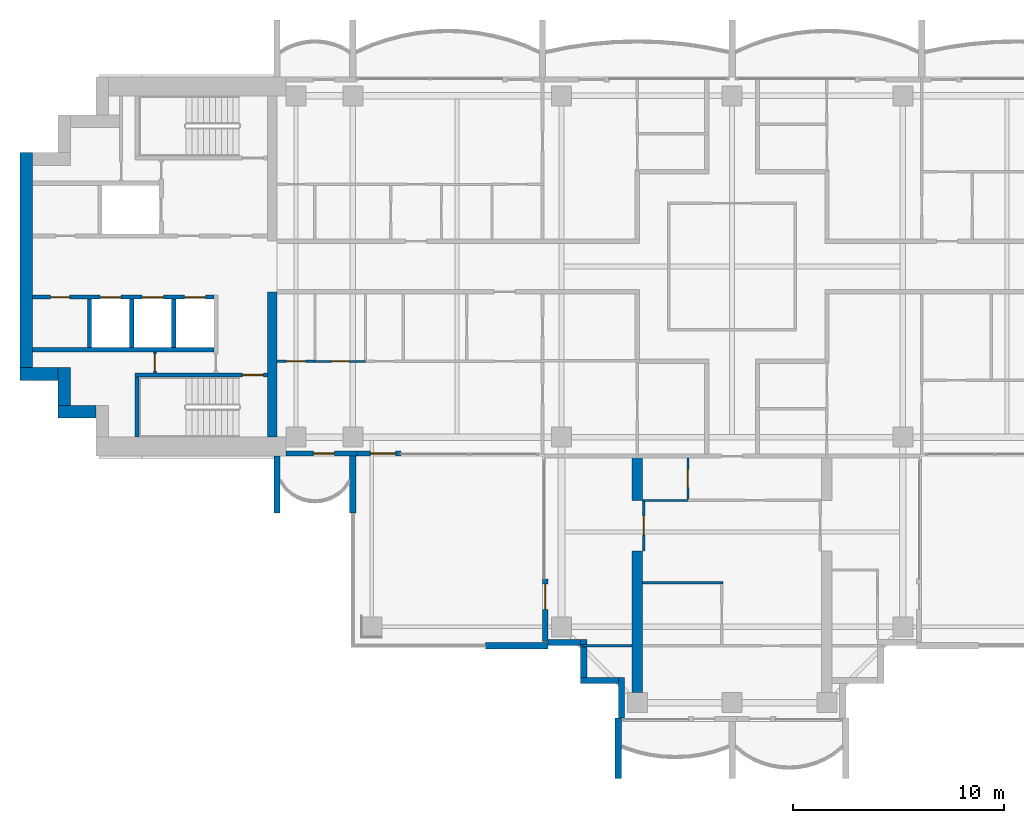
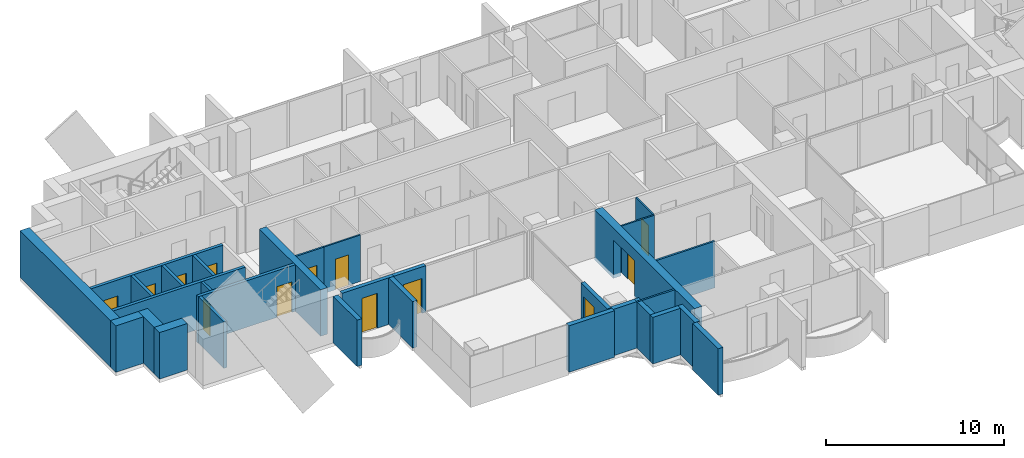
# One storey, part 8 of 18: 32 walls, 13 doors, 13 openings.
"""IFC4 building model written with IfcOpenShell, lengths in metres."""

from ifc_helpers import new_model, si_unit, direction, frame, frame_2d, origin, place, context, subcontext, project, spatial, polyline, rectangle, outline, extrude, material, layer, layer_set, material_profile, profile_set, type_object, element, fill, save


model = new_model("IFC4")

# Units and contexts
model_context = context("Model", 3, precision=1e-05, world=origin(), true_north=direction((0.0, 1.0)))
body_context = subcontext(model_context, "Body", "Model", "MODEL_VIEW")
ifc_project = project(units=[si_unit("LENGTHUNIT", "METRE"), si_unit("AREAUNIT", "SQUARE_METRE"), si_unit("VOLUMEUNIT", "CUBIC_METRE"), si_unit("PLANEANGLEUNIT", "RADIAN"), si_unit("MASSUNIT", "GRAM", prefix="KILO")], contexts=[model_context])

# Site, building, storey
site_placement = place(None, origin())
site = spatial("IfcSite", under=ifc_project, at=site_placement, CompositionType="ELEMENT")
building_placement = place(site_placement, origin())
building = spatial("IfcBuilding", under=site, at=building_placement, Name="Perihelion Cross Residences", CompositionType="ELEMENT")
storey_placement = place(building_placement, frame((0.0, 0.0, 219.10009765625)))
storey = spatial("IfcBuildingStorey", under=building, at=storey_placement, Name="L55", CompositionType="ELEMENT", Elevation=219.10009765625)

# Wall, opening, door
ifc_material_1 = material(Name="Concrete C30/37, bronze-clad", Category="concrete")
ifc_layer_1 = layer(ifc_material_1, 0.25)
ifc_layer_set_1 = layer_set([ifc_layer_1], Name="Bronze-clad pier wall 250")
wall_type_1 = type_object("IfcWallType", Name="Bronze-clad pier wall 250", PredefinedType="SOLIDWALL", material=ifc_layer_set_1)
wall_1_placement = place(storey_placement, frame((-21.175048828125, -8.875, 0.0), z_axis=(0.0, 0.0, 1.0), x_axis=(1.0, 0.0, 0.0)))
wall_1 = element("IfcWall", 1, at=wall_1_placement, inside=storey, type_object=wall_type_1, Name="Wall FW1 L55 west side south bay 1 pier", PredefinedType="SOLIDWALL", context=body_context, shape_type="SweptSolid", body=[
    extrude(rectangle(XDim=3.375, YDim=0.25, at=frame_2d((1.6875, 0.0))), origin(), (0.0, 0.0, 1.0), 3.199951171875),
])
opening_1_placement = place(wall_1_placement, frame((1.300048828125, 0.0, 0.0)))
opening_1 = element("IfcOpeningElement", 2, at=opening_1_placement, cuts=wall_1, Name="Opening L55.E07", PredefinedType="OPENING", context=body_context, shape_type="SweptSolid", body=[
    extrude(rectangle(XDim=1.0, YDim=2.39990234375, at=frame_2d((0.5, 1.199951171875))), frame((0.0, 0.135009765625, 0.0), z_axis=(0.0, -1.0, 0.0), x_axis=(1.0, 0.0, 0.0)), (0.0, 0.0, 1.0), 0.27001953125),
])
ifc_material_2 = material(Name="Bronze anodised aluminium, glazed", Category="aluminium")
door_type_1 = type_object("IfcDoorType", Name="Balcony door 1000 x 2400", OperationType="NOTDEFINED", PredefinedType="DOOR", material=ifc_material_2)
door_1_placement = place(opening_1_placement, origin())
door_1 = element("IfcDoor", 3, at=door_1_placement, inside=storey, type_object=door_type_1, Name="Door L55.E07 west side south bay 1", OperationType="SINGLE_SWING_LEFT", OverallHeight=2.39990234375, OverallWidth=1.0, PredefinedType="DOOR", context=body_context, shape_type="SweptSolid", body=[
    extrude(rectangle(XDim=1.0, YDim=2.39990234375, at=frame_2d((0.5, 1.199951171875))), frame((0.0, 0.02490234375, 0.0), z_axis=(0.0, -1.0, 0.0), x_axis=(1.0, 0.0, 0.0)), (0.0, 0.0, 1.0), 0.050048828125),
])
fill(opening_1, door_1)

wall_2_placement = place(storey_placement, frame((-17.800048828125, -8.875, 0.0), z_axis=(0.0, 0.0, 1.0), x_axis=(1.0, 0.0, 0.0)))
wall_2 = element("IfcWall", 4, at=wall_2_placement, inside=storey, type_object=wall_type_1, Name="Wall FW1 L55 west side south bay 2 pier", PredefinedType="SOLIDWALL", context=body_context, shape_type="SweptSolid", body=[
    extrude(rectangle(XDim=2.074951171875, YDim=0.25, at=frame_2d((1.03759765625, 0.0))), origin(), (0.0, 0.0, 1.0), 3.199951171875),
])
opening_2_placement = place(wall_2_placement, frame((0.625, 0.0, 0.0)))
opening_2 = element("IfcOpeningElement", 5, at=opening_2_placement, cuts=wall_2, Name="Opening L55.E08", PredefinedType="OPENING", context=body_context, shape_type="SweptSolid", body=[
    extrude(rectangle(XDim=1.199951171875, YDim=2.39990234375, at=frame_2d((0.60009765625, 1.199951171875))), frame((0.0, 0.135009765625, 0.0), z_axis=(0.0, -1.0, 0.0), x_axis=(1.0, 0.0, 0.0)), (0.0, 0.0, 1.0), 0.27001953125),
])
ifc_material_3 = material(Name="Bronze anodised aluminium, glazed", Category="aluminium")
door_type_2 = type_object("IfcDoorType", Name="Balcony door 1200 x 2400", OperationType="NOTDEFINED", PredefinedType="DOOR", material=ifc_material_3)
door_2_placement = place(opening_2_placement, origin())
door_2 = element("IfcDoor", 6, at=door_2_placement, inside=storey, type_object=door_type_2, Name="Door L55.E08 west side south bay 2", OperationType="SINGLE_SWING_RIGHT", OverallHeight=2.39990234375, OverallWidth=1.199951171875, PredefinedType="DOOR", context=body_context, shape_type="SweptSolid", body=[
    extrude(rectangle(XDim=1.199951171875, YDim=2.39990234375, at=frame_2d((0.60009765625, 1.199951171875))), frame((0.0, 0.02490234375, 0.0), z_axis=(0.0, -1.0, 0.0), x_axis=(1.0, 0.0, 0.0)), (0.0, 0.0, 1.0), 0.050048828125),
])
fill(opening_2, door_2)

wall_3_placement = place(storey_placement, frame((-8.875, -14.824951171875, 0.0), z_axis=(0.0, 0.0, 1.0), x_axis=(0.0, -1.0, 0.0)))
wall_3 = element("IfcWall", 7, at=wall_3_placement, inside=storey, type_object=wall_type_1, Name="Wall FW1 L55 south side west bay 1 pier", PredefinedType="SOLIDWALL", context=body_context, shape_type="SweptSolid", body=[
    extrude(rectangle(XDim=2.97509765625, YDim=0.25, at=frame_2d((1.487548828125, 0.0))), origin(), (0.0, 0.0, 1.0), 3.199951171875),
])
opening_3_placement = place(wall_3_placement, frame((0.25, 0.0, 0.0)))
opening_3 = element("IfcOpeningElement", 8, at=opening_3_placement, cuts=wall_3, Name="Opening L55.E09", PredefinedType="OPENING", context=body_context, shape_type="SweptSolid", body=[
    extrude(rectangle(XDim=1.199951171875, YDim=2.39990234375, at=frame_2d((0.60009765625, 1.199951171875))), frame((0.0, 0.135009765625, 0.0), z_axis=(0.0, -1.0, 0.0), x_axis=(1.0, 0.0, 0.0)), (0.0, 0.0, 1.0), 0.27001953125),
])
door_3_placement = place(opening_3_placement, origin())
door_3 = element("IfcDoor", 9, at=door_3_placement, inside=storey, type_object=door_type_2, Name="Door L55.E09 south side west bay 1", OperationType="SINGLE_SWING_LEFT", OverallHeight=2.39990234375, OverallWidth=1.199951171875, PredefinedType="DOOR", context=body_context, shape_type="SweptSolid", body=[
    extrude(rectangle(XDim=1.199951171875, YDim=2.39990234375, at=frame_2d((0.60009765625, 1.199951171875))), frame((0.0, 0.02490234375, 0.0), z_axis=(0.0, -1.0, 0.0), x_axis=(1.0, 0.0, 0.0)), (0.0, 0.0, 1.0), 0.050048828125),
])
fill(opening_3, door_3)

# Walls
ifc_material_4 = material(Name="Concrete C30/37, bronze-clad", Category="concrete")
ifc_layer_2 = layer(ifc_material_4, 0.300048828125)
ifc_layer_set_2 = layer_set([ifc_layer_2], Name="Bronze-clad serration wall 300")
wall_type_2 = type_object("IfcWallType", Name="Bronze-clad serration wall 300", PredefinedType="SOLIDWALL", material=ifc_layer_set_2)
wall_4_placement = place(storey_placement, frame((-8.75, -17.85009765625, 0.0), z_axis=(0.0, 0.0, 1.0), x_axis=(1.0, 0.0, 0.0)))
element("IfcWall", 10, at=wall_4_placement, inside=storey, type_object=wall_type_2, Name="Wall SR1 L55 south corner south-west 1", PredefinedType="SOLIDWALL", context=body_context, shape_type="SweptSolid", body=[
    extrude(rectangle(XDim=1.550048828125, YDim=0.300048828125, at=frame_2d((0.77490234375, 0.0))), origin(), (0.0, 0.0, 1.0), 3.199951171875),
])
for number, where, z_axis, x_axis, name in (
    (11, (-7.050048828125, -17.699951171875, 0.0), (0.0, 0.0, 1.0), (0.0, -1.0, 0.0), "Wall SR1 L55 south corner south-west 2"),
    (12, (-7.199951171875, -19.64990234375, 0.0), (0.0, 0.0, 1.0), (1.0, 0.0, 0.0), "Wall SR1 L55 south corner south-west 3"),
):
    element("IfcWall", number, at=place(storey_placement, frame(where, z_axis=z_axis, x_axis=x_axis)), inside=storey, type_object=wall_type_2, Name=name, PredefinedType="SOLIDWALL", context=body_context, shape_type="SweptSolid", body=[
        extrude(rectangle(XDim=1.800048828125, YDim=0.300048828125, at=frame_2d((0.89990234375, 0.0))), origin(), (0.0, 0.0, 1.0), 3.199951171875),
    ])
wall_5_placement = place(storey_placement, frame((-5.25, -19.5, 0.0), z_axis=(0.0, 0.0, 1.0), x_axis=(0.0, -1.0, 0.0)))
element("IfcWall", 13, at=wall_5_placement, inside=storey, type_object=wall_type_2, Name="Wall SR1 L55 south corner south-west 4", PredefinedType="SOLIDWALL", context=body_context, shape_type="SweptSolid", body=[
    extrude(rectangle(XDim=1.919921875, YDim=0.300048828125, at=frame_2d((0.9599609375, 0.0))), origin(), (0.0, 0.0, 1.0), 3.199951171875),
])
ifc_material_5 = material(Name="Concrete C60/75", Category="concrete")
ifc_layer_3 = layer(ifc_material_5, 0.449951171875)
ifc_layer_set_3 = layer_set([ifc_layer_3], Name="Core wall, inner 450")
wall_type_3 = type_object("IfcWallType", Name="Core wall, inner 450", PredefinedType="SHEAR", material=ifc_layer_set_3)
wall_6_placement = place(storey_placement, frame((-21.824951171875, -8.10009765625, 0.0), z_axis=(0.0, 0.0, 1.0), x_axis=(0.0, 1.0, 0.0)))
element("IfcWall", 14, at=wall_6_placement, inside=storey, type_object=wall_type_3, Name="West core core wall, inner", PredefinedType="SHEAR", context=body_context, shape_type="SweptSolid", body=[
    extrude(rectangle(XDim=6.900146484375, YDim=0.449951171875, at=frame_2d((3.4501953125, 0.0))), origin(), (0.0, 0.0, 1.0), 3.199951171875),
])
ifc_material_6 = material(Name="Concrete C60/75", Category="concrete")
ifc_layer_4 = layer(ifc_material_6, 0.60009765625)
ifc_layer_set_4 = layer_set([ifc_layer_4], Name="Core wall, outer 600")
wall_type_4 = type_object("IfcWallType", Name="Core wall, outer 600", PredefinedType="SHEAR", material=ifc_layer_set_4)
for number, where, z_axis, x_axis, name in (
    (15, (-32.0, -6.89990234375, 0.0), (0.0, 0.0, 1.0), (1.0, 0.0, 0.0), "West core core wall, outer"),
    (16, (-31.699951171875, -6.60009765625, 0.0), (0.0, 0.0, 1.0), (0.0, 1.0, 0.0), "West core core wall, outer"),
    (17, (-33.800048828125, -5.10009765625, 0.0), (0.0, 0.0, 1.0), (1.0, 0.0, 0.0), "West core core wall, outer"),
):
    element("IfcWall", number, at=place(storey_placement, frame(where, z_axis=z_axis, x_axis=x_axis)), inside=storey, type_object=wall_type_4, Name=name, PredefinedType="SHEAR", context=body_context, shape_type="SweptSolid", body=[
        extrude(rectangle(XDim=1.800048828125, YDim=0.60009765625, at=frame_2d((0.89990234375, 0.0))), origin(), (0.0, 0.0, 1.0), 3.199951171875),
    ])
wall_7_placement = place(storey_placement, frame((-33.5, -4.800048828125, 0.0), z_axis=(0.0, 0.0, 1.0), x_axis=(0.0, 1.0, 0.0)))
element("IfcWall", 18, at=wall_7_placement, inside=storey, type_object=wall_type_4, Name="West core core wall, outer", PredefinedType="SHEAR", context=body_context, shape_type="SweptSolid", body=[
    extrude(rectangle(XDim=10.199951171875, YDim=0.60009765625, at=frame_2d((5.10009765625, 0.0))), origin(), (0.0, 0.0, 1.0), 3.199951171875),
])

# Wall, opening, door
ifc_material_7 = material(Name="Plasterboard partition")
ifc_layer_5 = layer(ifc_material_7, 0.1201171875)
ifc_layer_set_5 = layer_set([ifc_layer_5], Name="Infill panel 120")
wall_type_5 = type_object("IfcWallType", Name="Infill panel 120", PredefinedType="PARTITIONING", material=ifc_layer_set_5)
wall_8_placement = place(storey_placement, frame((-4.18994140625, -11.10009765625, 0.0), z_axis=(0.0, 0.0, 1.0), x_axis=(0.0, -1.0, 0.0)))
wall_8 = element("IfcWall", 19, at=wall_8_placement, inside=storey, type_object=wall_type_5, Name="Partition L55 WI02", PredefinedType="PARTITIONING", context=body_context, shape_type="SweptSolid", body=[
    extrude(rectangle(XDim=2.39990234375, YDim=0.1201171875, at=frame_2d((1.199951171875, 0.0))), origin(), (0.0, 0.0, 1.0), 2.39990234375),
])
opening_4_placement = place(wall_8_placement, frame((0.75, 0.0, 0.0)))
opening_4 = element("IfcOpeningElement", 20, at=opening_4_placement, cuts=wall_8, Name="Opening L55.A46", PredefinedType="OPENING", context=body_context, shape_type="SweptSolid", body=[
    extrude(rectangle(XDim=0.89990234375, YDim=2.10009765625, at=frame_2d((0.449951171875, 1.050048828125))), frame((0.0, 0.070068359375, 0.0), z_axis=(0.0, -1.0, 0.0), x_axis=(1.0, 0.0, 0.0)), (0.0, 0.0, 1.0), 0.14013671875),
])
ifc_material_8 = material(Name="Timber door leaf", Category="wood")
door_type_3 = type_object("IfcDoorType", Name="Interior room door 900 x 2100", OperationType="SINGLE_SWING_LEFT", PredefinedType="DOOR", material=ifc_material_8)
door_4_placement = place(opening_4_placement, origin())
door_4 = element("IfcDoor", 21, at=door_4_placement, inside=storey, type_object=door_type_3, Name="Door L55.A46", OperationType="SINGLE_SWING_RIGHT", OverallHeight=2.10009765625, OverallWidth=0.89990234375, PredefinedType="DOOR", context=body_context, shape_type="SweptSolid", body=[
    extrude(rectangle(XDim=0.89990234375, YDim=2.10009765625, at=frame_2d((0.449951171875, 1.050048828125))), frame((0.0, 0.02490234375, 0.0), z_axis=(0.0, -1.0, 0.0), x_axis=(1.0, 0.0, 0.0)), (0.0, 0.0, 1.0), 0.050048828125),
])
fill(opening_4, door_4)

ifc_material_9 = material(Name="Plasterboard partition")
ifc_layer_6 = layer(ifc_material_9, 0.1201171875)
ifc_layer_set_6 = layer_set([ifc_layer_6], Name="Partition wall 120")
wall_type_6 = type_object("IfcWallType", Name="Partition wall 120", PredefinedType="PARTITIONING", material=ifc_layer_set_6)
wall_9_placement = place(storey_placement, frame((-19.800048828125, -4.5, 0.0), z_axis=(0.0, 0.0, 1.0), x_axis=(-1.0, 0.0, 0.0)))
wall_9 = element("IfcWall", 22, at=wall_9_placement, inside=storey, type_object=wall_type_6, Name="Partition L55 W065", PredefinedType="PARTITIONING", context=body_context, shape_type="SweptSolid", body=[
    extrude(rectangle(XDim=1.800048828125, YDim=0.1201171875, at=frame_2d((0.89990234375, 0.0))), origin(), (0.0, 0.0, 1.0), 3.199951171875),
])
opening_5_placement = place(wall_9_placement, frame((0.449951171875, 0.0, 0.0)))
opening_5 = element("IfcOpeningElement", 23, at=opening_5_placement, cuts=wall_9, Name="Opening L55.A28", PredefinedType="OPENING", context=body_context, shape_type="SweptSolid", body=[
    extrude(rectangle(XDim=0.89990234375, YDim=2.10009765625, at=frame_2d((0.449951171875, 1.050048828125))), frame((0.0, 0.070068359375, 0.0), z_axis=(0.0, -1.0, 0.0), x_axis=(1.0, 0.0, 0.0)), (0.0, 0.0, 1.0), 0.14013671875),
])
door_5_placement = place(opening_5_placement, origin())
door_5 = element("IfcDoor", 24, at=door_5_placement, inside=storey, type_object=door_type_3, Name="Door L55.A28", OperationType="SINGLE_SWING_RIGHT", OverallHeight=2.10009765625, OverallWidth=0.89990234375, PredefinedType="DOOR", context=body_context, shape_type="SweptSolid", body=[
    extrude(rectangle(XDim=0.89990234375, YDim=2.10009765625, at=frame_2d((0.449951171875, 1.050048828125))), frame((0.0, 0.02490234375, 0.0), z_axis=(0.0, -1.0, 0.0), x_axis=(1.0, 0.0, 0.0)), (0.0, 0.0, 1.0), 0.050048828125),
])
fill(opening_5, door_5)

# Walls
wall_10_placement = place(storey_placement, frame((-0.43994140625, -15.0, 0.0), z_axis=(0.0, 0.0, 1.0), x_axis=(-1.0, 0.0, 0.0)))
element("IfcWall", 25, at=wall_10_placement, inside=storey, type_object=wall_type_6, Name="Partition L55 W073", PredefinedType="PARTITIONING", context=body_context, shape_type="SweptSolid", body=[
    extrude(rectangle(XDim=3.81005859375, YDim=0.1201171875, at=frame_2d((1.905029296875, 0.0))), origin(), (0.0, 0.0, 1.0), 3.199951171875),
])
wall_11_placement = place(storey_placement, frame((-4.75, -18.0, 0.0), z_axis=(0.0, 0.0, 1.0), x_axis=(-1.0, 0.0, 0.0)))
element("IfcWall", 26, at=wall_11_placement, inside=storey, type_object=wall_type_6, Name="Partition L55 W078", PredefinedType="PARTITIONING", context=body_context, shape_type="SweptSolid", body=[
    extrude(rectangle(XDim=2.3701171875, YDim=0.1201171875, at=frame_2d((1.18505859375, 0.0))), origin(), (0.0, 0.0, 1.0), 3.199951171875),
])
ifc_material_10 = material(Name="Precast concrete C50/60", Category="concrete")
ifc_layer_7 = layer(ifc_material_10, 0.300048828125)
ifc_layer_set_7 = layer_set([ifc_layer_7], Name="Precast concrete C50/60 blade wall 300")
wall_type_7 = type_object("IfcWallType", Name="Precast concrete C50/60 blade wall 300", PredefinedType="SOLIDWALL", material=ifc_layer_set_7)
for number, where, z_axis, x_axis, name in (
    (27, (-21.60009765625, -9.0, 0.0), (0.0, 0.0, 1.0), (0.0, -1.0, 0.0), "Wall BL1 L55 no. 3"),
    (28, (-18.0, -9.0, 0.0), (0.0, 0.0, 1.0), (0.0, -1.0, 0.0), "Wall BL1 L55 no. 1"),
):
    element("IfcWall", number, at=place(storey_placement, frame(where, z_axis=z_axis, x_axis=x_axis)), inside=storey, type_object=wall_type_7, Name=name, PredefinedType="SOLIDWALL", context=body_context, shape_type="SweptSolid", body=[
        extrude(rectangle(XDim=2.699951171875, YDim=0.300048828125, at=frame_2d((1.35009765625, 0.0))), origin(), (0.0, 0.0, 1.0), 3.199951171875),
    ])
wall_12_placement = place(storey_placement, frame((-8.75, -18.0, 0.0), z_axis=(0.0, 0.0, 1.0), x_axis=(-1.0, 0.0, 0.0)))
element("IfcWall", 29, at=wall_12_placement, inside=storey, type_object=wall_type_7, Name="Wall BL1 L55 no. 6", PredefinedType="SOLIDWALL", context=body_context, shape_type="SweptSolid", body=[
    extrude(rectangle(XDim=2.949951171875, YDim=0.300048828125, at=frame_2d((1.47509765625, 0.0))), origin(), (0.0, 0.0, 1.0), 3.199951171875),
])
wall_13_placement = place(storey_placement, frame((-5.39990234375, -21.419921875, 0.0), z_axis=(0.0, 0.0, 1.0), x_axis=(0.0, -1.0, 0.0)))
element("IfcWall", 30, at=wall_13_placement, inside=storey, type_object=wall_type_7, Name="Wall BL1 L55 no. 5", PredefinedType="SOLIDWALL", context=body_context, shape_type="SweptSolid", body=[
    extrude(rectangle(XDim=2.880126953125, YDim=0.300048828125, at=frame_2d((1.43994140625, 0.0))), origin(), (0.0, 0.0, 1.0), 3.199951171875),
])

# Wall, opening, door
ifc_material_11 = material(Name="Fire-rated board on steel stud", Category="steel")
ifc_layer_8 = layer(ifc_material_11, 0.14990234375)
ifc_layer_set_8 = layer_set([ifc_layer_8], Name="Riser wall 150")
wall_type_8 = type_object("IfcWallType", Name="Riser wall 150", PredefinedType="PARTITIONING", material=ifc_layer_set_8)
wall_14_placement = place(storey_placement, frame((-27.39990234375, -5.050048828125, 0.0), z_axis=(0.0, 0.0, 1.0), x_axis=(0.0, 1.0, 0.0)))
wall_14 = element("IfcWall", 31, at=wall_14_placement, inside=storey, type_object=wall_type_8, Name="West core riser wall", PredefinedType="PARTITIONING", context=body_context, shape_type="SweptSolid", body=[
    extrude(rectangle(XDim=1.0, YDim=0.14990234375, at=frame_2d((0.5, 0.0))), origin(), (0.0, 0.0, 1.0), 3.199951171875),
])
opening_6_placement = place(wall_14_placement, frame((0.10009765625, 0.0, 0.0)))
opening_6 = element("IfcOpeningElement", 32, at=opening_6_placement, cuts=wall_14, Name="Opening L55.C25", PredefinedType="OPENING", context=body_context, shape_type="SweptSolid", body=[
    extrude(rectangle(XDim=0.800048828125, YDim=2.10009765625, at=frame_2d((0.39990234375, 1.050048828125))), frame((0.0, 0.0849609375, 0.0), z_axis=(0.0, -1.0, 0.0), x_axis=(1.0, 0.0, 0.0)), (0.0, 0.0, 1.0), 0.169921875),
])
ifc_material_12 = material(Name="Steel, powder coated", Category="steel")
door_type_4 = type_object("IfcDoorType", Name="Riser door 800", OperationType="SINGLE_SWING_LEFT", PredefinedType="DOOR", material=ifc_material_12)
door_6_placement = place(opening_6_placement, origin())
door_6 = element("IfcDoor", 33, at=door_6_placement, inside=storey, type_object=door_type_4, Name="West core riser door", OperationType="SINGLE_SWING_LEFT", OverallHeight=2.10009765625, OverallWidth=0.800048828125, PredefinedType="DOOR", context=body_context, shape_type="SweptSolid", body=[
    extrude(rectangle(XDim=0.800048828125, YDim=2.10009765625, at=frame_2d((0.39990234375, 1.050048828125))), frame((0.0, 0.02490234375, 0.0), z_axis=(0.0, -1.0, 0.0), x_axis=(1.0, 0.0, 0.0)), (0.0, 0.0, 1.0), 0.050048828125),
])
fill(opening_6, door_6)

# Wall, openings, doors
ifc_material_13 = material(Name="Concrete C50/60", Category="concrete")
ifc_layer_9 = layer(ifc_material_13, 0.199951171875)
ifc_layer_set_9 = layer_set([ifc_layer_9], Name="Shaft wall 200")
wall_type_9 = type_object("IfcWallType", Name="Shaft wall 200", PredefinedType="SOLIDWALL", material=ifc_layer_set_9)
wall_15_placement = place(storey_placement, frame((-33.199951171875, -1.449951171875, 0.0), z_axis=(0.0, 0.0, 1.0), x_axis=(1.0, 0.0, 0.0)))
wall_15 = element("IfcWall", 34, at=wall_15_placement, inside=storey, type_object=wall_type_9, Name="West core shaft wall", PredefinedType="SOLIDWALL", context=body_context, shape_type="SweptSolid", body=[
    extrude(rectangle(XDim=8.599853515625, YDim=0.199951171875, at=frame_2d((4.2998046875, 0.0))), origin(), (0.0, 0.0, 1.0), 3.199951171875),
])
opening_7_placement = place(wall_15_placement, frame((7.199951171875, 0.0, 0.0)))
opening_7 = element("IfcOpeningElement", 35, at=opening_7_placement, cuts=wall_15, Name="Opening L55.C15", PredefinedType="OPENING", context=body_context, shape_type="SweptSolid", body=[
    extrude(rectangle(XDim=1.0, YDim=2.10009765625, at=frame_2d((0.5, 1.050048828125))), frame((0.0, 0.10986328125, 0.0), z_axis=(0.0, -1.0, 0.0), x_axis=(1.0, 0.0, 0.0)), (0.0, 0.0, 1.0), 0.219970703125),
])
opening_8_placement = place(wall_15_placement, frame((5.199951171875, 0.0, 0.0)))
opening_8 = element("IfcOpeningElement", 36, at=opening_8_placement, cuts=wall_15, Name="Opening L55.C17", PredefinedType="OPENING", context=body_context, shape_type="SweptSolid", body=[
    extrude(rectangle(XDim=1.0, YDim=2.10009765625, at=frame_2d((0.5, 1.050048828125))), frame((0.0, 0.10986328125, 0.0), z_axis=(0.0, -1.0, 0.0), x_axis=(1.0, 0.0, 0.0)), (0.0, 0.0, 1.0), 0.219970703125),
])
opening_9_placement = place(wall_15_placement, frame((3.199951171875, 0.0, 0.0)))
opening_9 = element("IfcOpeningElement", 37, at=opening_9_placement, cuts=wall_15, Name="Opening L55.C18", PredefinedType="OPENING", context=body_context, shape_type="SweptSolid", body=[
    extrude(rectangle(XDim=1.0, YDim=2.10009765625, at=frame_2d((0.5, 1.050048828125))), frame((0.0, 0.10986328125, 0.0), z_axis=(0.0, -1.0, 0.0), x_axis=(1.0, 0.0, 0.0)), (0.0, 0.0, 1.0), 0.219970703125),
])
opening_10_placement = place(wall_15_placement, frame((0.85009765625, 0.0, 0.0)))
opening_10 = element("IfcOpeningElement", 38, at=opening_10_placement, cuts=wall_15, Name="Opening L55.C28", PredefinedType="OPENING", context=body_context, shape_type="SweptSolid", body=[
    extrude(rectangle(XDim=0.89990234375, YDim=2.10009765625, at=frame_2d((0.449951171875, 1.050048828125))), frame((0.0, 0.10986328125, 0.0), z_axis=(0.0, -1.0, 0.0), x_axis=(1.0, 0.0, 0.0)), (0.0, 0.0, 1.0), 0.219970703125),
])
ifc_material_14 = material(Name="Stainless steel", Category="steel")
door_type_5 = type_object("IfcDoorType", Name="Landing door 1000", OperationType="DOUBLE_DOOR_SLIDING", PredefinedType="DOOR", material=ifc_material_14)
door_7_placement = place(opening_7_placement, origin())
door_7 = element("IfcDoor", 39, at=door_7_placement, inside=storey, type_object=door_type_5, Name="Landing door, West core high-rise lift 1", OperationType="DOUBLE_DOOR_SLIDING", OverallHeight=2.10009765625, OverallWidth=1.0, PredefinedType="DOOR", context=body_context, shape_type="SweptSolid", body=[
    extrude(rectangle(XDim=1.0, YDim=2.10009765625, at=frame_2d((0.5, 1.050048828125))), frame((0.0, 0.02490234375, 0.0), z_axis=(0.0, -1.0, 0.0), x_axis=(1.0, 0.0, 0.0)), (0.0, 0.0, 1.0), 0.050048828125),
])
fill(opening_7, door_7)
door_8_placement = place(opening_8_placement, origin())
door_8 = element("IfcDoor", 40, at=door_8_placement, inside=storey, type_object=door_type_5, Name="Landing door, West core high-rise lift 2", OperationType="DOUBLE_DOOR_SLIDING", OverallHeight=2.10009765625, OverallWidth=1.0, PredefinedType="DOOR", context=body_context, shape_type="SweptSolid", body=[
    extrude(rectangle(XDim=1.0, YDim=2.10009765625, at=frame_2d((0.5, 1.050048828125))), frame((0.0, 0.02490234375, 0.0), z_axis=(0.0, -1.0, 0.0), x_axis=(1.0, 0.0, 0.0)), (0.0, 0.0, 1.0), 0.050048828125),
])
fill(opening_8, door_8)
door_9_placement = place(opening_9_placement, origin())
door_9 = element("IfcDoor", 41, at=door_9_placement, inside=storey, type_object=door_type_5, Name="Landing door, West core high-rise lift 3", OperationType="DOUBLE_DOOR_SLIDING", OverallHeight=2.10009765625, OverallWidth=1.0, PredefinedType="DOOR", context=body_context, shape_type="SweptSolid", body=[
    extrude(rectangle(XDim=1.0, YDim=2.10009765625, at=frame_2d((0.5, 1.050048828125))), frame((0.0, 0.02490234375, 0.0), z_axis=(0.0, -1.0, 0.0), x_axis=(1.0, 0.0, 0.0)), (0.0, 0.0, 1.0), 0.050048828125),
])
fill(opening_9, door_9)
ifc_material_15 = material(Name="Steel, powder coated", Category="steel")
door_type_6 = type_object("IfcDoorType", Name="Service room door 900", OperationType="SINGLE_SWING_LEFT", PredefinedType="DOOR", material=ifc_material_15)
door_10_placement = place(opening_10_placement, origin())
door_10 = element("IfcDoor", 42, at=door_10_placement, inside=storey, type_object=door_type_6, Name="West core service room door", OperationType="SINGLE_SWING_LEFT", OverallHeight=2.10009765625, OverallWidth=0.89990234375, PredefinedType="DOOR", context=body_context, shape_type="SweptSolid", body=[
    extrude(rectangle(XDim=0.89990234375, YDim=2.10009765625, at=frame_2d((0.449951171875, 1.050048828125))), frame((0.0, 0.02490234375, 0.0), z_axis=(0.0, -1.0, 0.0), x_axis=(1.0, 0.0, 0.0)), (0.0, 0.0, 1.0), 0.050048828125),
])
fill(opening_10, door_10)

# Walls
wall_16_placement = place(storey_placement, frame((-33.199951171875, -3.949951171875, 0.0), z_axis=(0.0, 0.0, 1.0), x_axis=(1.0, 0.0, 0.0)))
element("IfcWall", 43, at=wall_16_placement, inside=storey, type_object=wall_type_9, Name="West core shaft wall", PredefinedType="SOLIDWALL", context=body_context, shape_type="SweptSolid", body=[
    extrude(rectangle(XDim=8.599853515625, YDim=0.199951171875, at=frame_2d((4.2998046875, 0.0))), origin(), (0.0, 0.0, 1.0), 3.199951171875),
])
for number, where, z_axis, x_axis, name in (
    (44, (-26.5, -3.85009765625, 0.0), (0.0, 0.0, 1.0), (0.0, 1.0, 0.0), "West core shaft wall"),
    (45, (-28.5, -3.85009765625, 0.0), (0.0, 0.0, 1.0), (0.0, 1.0, 0.0), "West core shaft wall"),
    (46, (-30.5, -3.85009765625, 0.0), (0.0, 0.0, 1.0), (0.0, 1.0, 0.0), "West core shaft wall"),
):
    element("IfcWall", number, at=place(storey_placement, frame(where, z_axis=z_axis, x_axis=x_axis)), inside=storey, type_object=wall_type_9, Name=name, PredefinedType="SOLIDWALL", context=body_context, shape_type="SweptSolid", body=[
        extrude(rectangle(XDim=2.300048828125, YDim=0.199951171875, at=frame_2d((1.14990234375, 0.0))), origin(), (0.0, 0.0, 1.0), 3.199951171875),
    ])

# Wall, opening, door
ifc_material_16 = material(Name="Concrete C50/60", Category="concrete")
ifc_layer_10 = layer(ifc_material_16, 0.199951171875)
ifc_layer_set_10 = layer_set([ifc_layer_10], Name="Stair wall 200")
wall_type_10 = type_object("IfcWallType", Name="Stair wall 200", PredefinedType="SOLIDWALL", material=ifc_layer_set_10)
wall_17_placement = place(storey_placement, frame((-28.35009765625, -5.14990234375, 0.0), z_axis=(0.0, 0.0, 1.0), x_axis=(1.0, 0.0, 0.0)))
wall_17 = element("IfcWall", 47, at=wall_17_placement, inside=storey, type_object=wall_type_10, Name="West core stair wall", PredefinedType="SOLIDWALL", context=body_context, shape_type="SweptSolid", body=[
    extrude(rectangle(XDim=6.300048828125, YDim=0.199951171875, at=frame_2d((3.14990234375, 0.0))), origin(), (0.0, 0.0, 1.0), 3.199951171875),
])
opening_11_placement = place(wall_17_placement, frame((5.10009765625, 0.0, 0.0)))
opening_11 = element("IfcOpeningElement", 48, at=opening_11_placement, cuts=wall_17, Name="Opening L55.C19", PredefinedType="OPENING", context=body_context, shape_type="SweptSolid", body=[
    extrude(rectangle(XDim=1.0, YDim=2.10009765625, at=frame_2d((0.5, 1.050048828125))), frame((0.0, 0.10986328125, 0.0), z_axis=(0.0, -1.0, 0.0), x_axis=(1.0, 0.0, 0.0)), (0.0, 0.0, 1.0), 0.219970703125),
])
ifc_material_17 = material(Name="Steel, powder coated", Category="steel")
door_type_7 = type_object("IfcDoorType", Name="Stair door 1000", OperationType="SINGLE_SWING_LEFT", PredefinedType="DOOR", material=ifc_material_17)
door_11_placement = place(opening_11_placement, origin())
door_11 = element("IfcDoor", 49, at=door_11_placement, inside=storey, type_object=door_type_7, Name="West core stair door", OperationType="SINGLE_SWING_LEFT", OverallHeight=2.10009765625, OverallWidth=1.0, PredefinedType="DOOR", context=body_context, shape_type="SweptSolid", body=[
    extrude(rectangle(XDim=1.0, YDim=2.10009765625, at=frame_2d((0.5, 1.050048828125))), frame((0.0, 0.02490234375, 0.0), z_axis=(0.0, -1.0, 0.0), x_axis=(1.0, 0.0, 0.0)), (0.0, 0.0, 1.0), 0.050048828125),
])
fill(opening_11, door_11)

# Walls
wall_18_placement = place(storey_placement, frame((-28.25, -8.10009765625, 0.0), z_axis=(0.0, 0.0, 1.0), x_axis=(0.0, 1.0, 0.0)))
element("IfcWall", 50, at=wall_18_placement, inside=storey, type_object=wall_type_10, Name="West core stair wall", PredefinedType="SOLIDWALL", context=body_context, shape_type="SweptSolid", body=[
    extrude(rectangle(XDim=2.85009765625, YDim=0.199951171875, at=frame_2d((1.425048828125, 0.0))), origin(), (0.0, 0.0, 1.0), 3.199951171875),
])
ifc_material_18 = material(Name="Concrete C60/75", Category="concrete")
ifc_material_profile = material_profile(ifc_material_18, outline(polyline([(0.0, 0.0), (6.72509765625, 0.0), (6.72509765625, 2.64990234375), (9.125, 2.64990234375), (9.125, 0.0), (11.22509765625, 0.0), (11.22509765625, 3.449951171875), (0.0, 3.449951171875), (0.0, 0.0)])), Name="Tip spine wall")
ifc_profile_set = profile_set([ifc_material_profile], Name="Concrete C60/75")
wall_type_11 = type_object("IfcWallType", Name="Tip spine wall 500 with 1 door openings 11225 long 3450 high concrete C60/75", PredefinedType="SHEAR", material=ifc_profile_set)
wall_19_placement = place(storey_placement, frame((-4.75, -20.22509765625, -0.25), z_axis=(1.0, 0.0, 0.0), x_axis=(0.0, 1.0, 0.0)))
element("IfcWall", 51, at=wall_19_placement, inside=storey, type_object=wall_type_11, Name="Shear wall SW42 L55 south west", PredefinedType="SHEAR", context=body_context, shape_type="SweptSolid", body=[
    extrude(outline(polyline([(0.0, 0.0), (6.72509765625, 0.0), (6.72509765625, 2.64990234375), (9.125, 2.64990234375), (9.125, 0.0), (11.22509765625, 0.0), (11.22509765625, 3.449951171875), (0.0, 3.449951171875), (0.0, 0.0)])), origin(), (0.0, 0.0, 1.0), 0.5),
])

# Wall, opening, door
ifc_material_19 = material(Name="Plasterboard partition")
ifc_layer_11 = layer(ifc_material_19, 0.10009765625)
ifc_layer_set_11 = layer_set([ifc_layer_11], Name="Wet room wall 100")
wall_type_12 = type_object("IfcWallType", Name="Wet room wall 100", PredefinedType="PARTITIONING", material=ifc_layer_set_11)
wall_20_placement = place(storey_placement, frame((-17.39990234375, -4.5, 0.0), z_axis=(0.0, 0.0, 1.0), x_axis=(-1.0, 0.0, 0.0)))
wall_20 = element("IfcWall", 52, at=wall_20_placement, inside=storey, type_object=wall_type_12, Name="Partition L55 W064", PredefinedType="PARTITIONING", context=body_context, shape_type="SweptSolid", body=[
    extrude(rectangle(XDim=2.400146484375, YDim=0.10009765625, at=frame_2d((1.2001953125, 0.0))), origin(), (0.0, 0.0, 1.0), 3.199951171875),
])
opening_12_placement = place(wall_20_placement, frame((0.77490234375, 0.0, 0.0)))
opening_12 = element("IfcOpeningElement", 53, at=opening_12_placement, cuts=wall_20, Name="Opening L55.A27", PredefinedType="OPENING", context=body_context, shape_type="SweptSolid", body=[
    extrude(rectangle(XDim=0.85009765625, YDim=2.10009765625, at=frame_2d((0.425048828125, 1.050048828125))), frame((0.0, 0.06005859375, 0.0), z_axis=(0.0, -1.0, 0.0), x_axis=(1.0, 0.0, 0.0)), (0.0, 0.0, 1.0), 0.1201171875),
])
ifc_material_20 = material(Name="Timber door leaf", Category="wood")
door_type_8 = type_object("IfcDoorType", Name="Interior bathroom door 850 x 2100", OperationType="SINGLE_SWING_LEFT", PredefinedType="DOOR", material=ifc_material_20)
door_12_placement = place(opening_12_placement, origin())
door_12 = element("IfcDoor", 54, at=door_12_placement, inside=storey, type_object=door_type_8, Name="Door L55.A27", OperationType="SINGLE_SWING_RIGHT", OverallHeight=2.10009765625, OverallWidth=0.85009765625, PredefinedType="DOOR", context=body_context, shape_type="SweptSolid", body=[
    extrude(rectangle(XDim=0.85009765625, YDim=2.10009765625, at=frame_2d((0.425048828125, 1.050048828125))), frame((0.0, 0.02490234375, 0.0), z_axis=(0.0, -1.0, 0.0), x_axis=(1.0, 0.0, 0.0)), (0.0, 0.0, 1.0), 0.050048828125),
])
fill(opening_12, door_12)

wall_21_placement = place(storey_placement, frame((-2.10009765625, -11.0400390625, 0.0), z_axis=(0.0, 0.0, 1.0), x_axis=(0.0, 1.0, 0.0)))
wall_21 = element("IfcWall", 55, at=wall_21_placement, inside=storey, type_object=wall_type_12, Name="Partition L55 W069", PredefinedType="PARTITIONING", context=body_context, shape_type="SweptSolid", body=[
    extrude(rectangle(XDim=1.93994140625, YDim=0.10009765625, at=frame_2d((0.969970703125, 0.0))), origin(), (0.0, 0.0, 1.0), 3.199951171875),
])
opening_13_placement = place(wall_21_placement, frame((0.544921875, 0.0, 0.0)))
opening_13 = element("IfcOpeningElement", 56, at=opening_13_placement, cuts=wall_21, Name="Opening L55.A36", PredefinedType="OPENING", context=body_context, shape_type="SweptSolid", body=[
    extrude(rectangle(XDim=0.85009765625, YDim=2.10009765625, at=frame_2d((0.425048828125, 1.050048828125))), frame((0.0, 0.06005859375, 0.0), z_axis=(0.0, -1.0, 0.0), x_axis=(1.0, 0.0, 0.0)), (0.0, 0.0, 1.0), 0.1201171875),
])
door_13_placement = place(opening_13_placement, origin())
door_13 = element("IfcDoor", 57, at=door_13_placement, inside=storey, type_object=door_type_8, Name="Door L55.A36", OperationType="SINGLE_SWING_RIGHT", OverallHeight=2.10009765625, OverallWidth=0.85009765625, PredefinedType="DOOR", context=body_context, shape_type="SweptSolid", body=[
    extrude(rectangle(XDim=0.85009765625, YDim=2.10009765625, at=frame_2d((0.425048828125, 1.050048828125))), frame((0.0, 0.02490234375, 0.0), z_axis=(0.0, -1.0, 0.0), x_axis=(1.0, 0.0, 0.0)), (0.0, 0.0, 1.0), 0.050048828125),
])
fill(opening_13, door_13)

# Wall
wall_22_placement = place(storey_placement, frame((-2.10009765625, -11.10009765625, 0.0), z_axis=(0.0, 0.0, 1.0), x_axis=(-1.0, 0.0, 0.0)))
element("IfcWall", 58, at=wall_22_placement, inside=storey, type_object=wall_type_12, Name="Partition L55 W071", PredefinedType="PARTITIONING", context=body_context, shape_type="SweptSolid", body=[
    extrude(rectangle(XDim=2.14990234375, YDim=0.10009765625, at=frame_2d((1.074951171875, 0.0))), origin(), (0.0, 0.0, 1.0), 3.199951171875),
])

save(model, "model.ifc")
